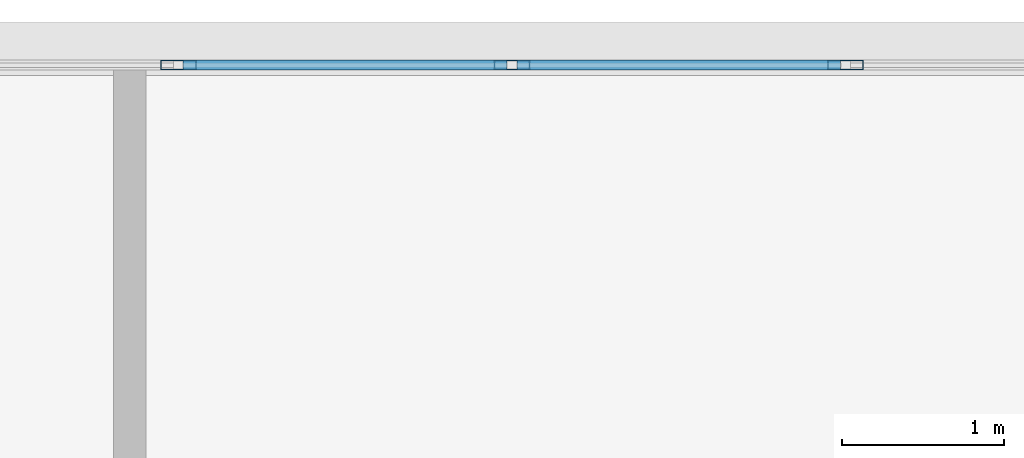
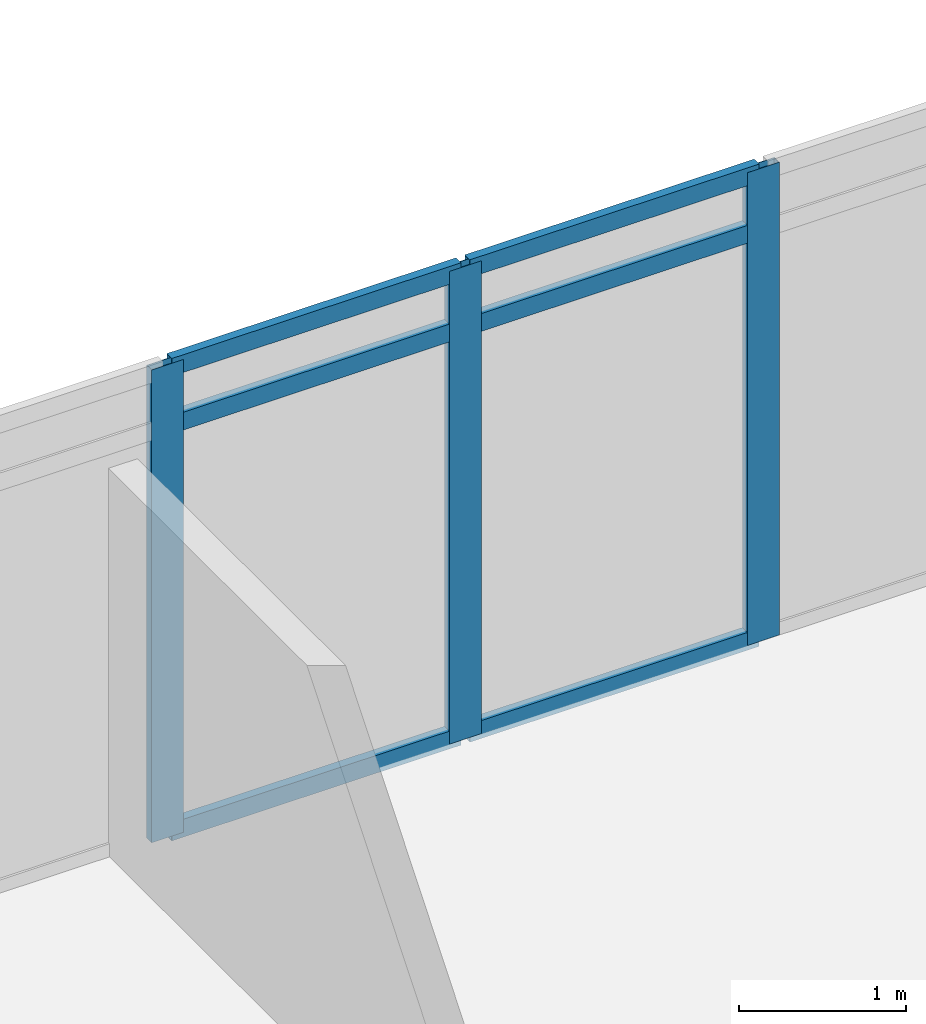
# One storey, part 20 of 37: 9 members, 1 element without a shape of its own.
"""IFC4 building model written with IfcOpenShell, lengths in metres."""

from ifc_helpers import new_model, si_unit, direction, frame, origin, origin_2d, place, context, subcontext, project, spatial, hollow_rectangle, extrude, material, material_profile, profile_set, type_object, element, aggregate, save


model = new_model("IFC4")

# Units and contexts
model_context = context("Model", 3, precision=1e-05, world=origin(), true_north=direction((0.0, 1.0)))
body_context = subcontext(model_context, "Body", "Model", "MODEL_VIEW")
ifc_project = project(units=[si_unit("LENGTHUNIT", "METRE"), si_unit("AREAUNIT", "SQUARE_METRE"), si_unit("VOLUMEUNIT", "CUBIC_METRE"), si_unit("PLANEANGLEUNIT", "RADIAN"), si_unit("MASSUNIT", "GRAM", prefix="KILO")], contexts=[model_context])

# Site, building, storey
site_placement = place(None, origin())
site = spatial("IfcSite", under=ifc_project, at=site_placement, CompositionType="ELEMENT")
building_placement = place(site_placement, origin())
building = spatial("IfcBuilding", under=site, at=building_placement, Name="Ostrander Bayou Hotel Tower", CompositionType="ELEMENT")
storey_placement = place(building_placement, frame((0.0, 0.0, 93.0)))
storey = spatial("IfcBuildingStorey", under=building, at=storey_placement, Name="L23", CompositionType="ELEMENT", Elevation=93.0)

# Curtain wall, members
ifc_material_1 = material(Name="Aluminium and clear glass", Category="aluminium")
curtain_wall_type = type_object("IfcCurtainWallType", Name="CW-BAR glazed wall", PredefinedType="NOTDEFINED", material=ifc_material_1)
curtain_wall_placement = place(storey_placement, origin())
curtain_wall = element("IfcCurtainWall", 1, at=curtain_wall_placement, inside=storey, type_object=curtain_wall_type, Name="CW-BAR L23:SB2N:T", PredefinedType="NOTDEFINED")
ifc_material_2 = material(Name="Aluminium", Category="aluminium")
ifc_material_profile_1 = material_profile(ifc_material_2, hollow_rectangle(XDim=0.06005859375, YDim=0.219970703125, WallThickness=0.00390625, at=origin_2d()))
ifc_profile_set_1 = profile_set([ifc_material_profile_1], Name="Aluminium")
member_type_1 = type_object("IfcMemberType", Name="CW-BR mullion 60 x 220 mm", PredefinedType="MULLION", material=ifc_profile_set_1)
member_1_placement = place(storey_placement, frame((-5.14111328125, 31.4453125, 0.0), z_axis=(0.0, 0.0, 1.0), x_axis=(0.0, 1.0, 0.0)))
member_1 = element("IfcMember", 2, at=member_1_placement, type_object=member_type_1, Name="CW-BAR mullion 5", PredefinedType="MULLION", context=body_context, shape_type="SweptSolid", body=[
    extrude(hollow_rectangle(XDim=0.06005859375, YDim=0.219970703125, WallThickness=0.00390625, at=origin_2d()), origin(), (0.0, 0.0, 1.0), 3.449951171875),
])
member_2_placement = place(storey_placement, frame((-3.084716796875, 31.4453125, 0.0), z_axis=(0.0, 0.0, 1.0), x_axis=(0.0, 1.0, 0.0)))
member_2 = element("IfcMember", 3, at=member_2_placement, type_object=member_type_1, Name="CW-BAR mullion 6", PredefinedType="MULLION", context=body_context, shape_type="SweptSolid", body=[
    extrude(hollow_rectangle(XDim=0.06005859375, YDim=0.219970703125, WallThickness=0.00390625, at=origin_2d()), origin(), (0.0, 0.0, 1.0), 3.449951171875),
])
member_3_placement = place(storey_placement, frame((-1.0283203125, 31.4453125, 0.0), z_axis=(0.0, 0.0, 1.0), x_axis=(0.0, 1.0, 0.0)))
member_3 = element("IfcMember", 4, at=member_3_placement, type_object=member_type_1, Name="CW-BAR mullion 7", PredefinedType="MULLION", context=body_context, shape_type="SweptSolid", body=[
    extrude(hollow_rectangle(XDim=0.06005859375, YDim=0.219970703125, WallThickness=0.00390625, at=origin_2d()), origin(), (0.0, 0.0, 1.0), 3.449951171875),
])
ifc_material_3 = material(Name="Aluminium", Category="aluminium")
ifc_material_profile_2 = material_profile(ifc_material_3, hollow_rectangle(XDim=0.06005859375, YDim=0.1298828125, WallThickness=0.00390625, at=origin_2d()))
ifc_profile_set_2 = profile_set([ifc_material_profile_2], Name="Aluminium")
member_type_2 = type_object("IfcMemberType", Name="CW-BR transom 60 x 130 mm", PredefinedType="USERDEFINED", material=ifc_profile_set_2)
member_4_placement = place(storey_placement, frame((-5.111328125, 31.4453125, 0.030029296875), z_axis=(1.0, 0.0, 0.0), x_axis=(0.0, 1.0, 0.0)))
member_4 = element("IfcMember", 5, at=member_4_placement, type_object=member_type_2, Name="CW-BAR transom 5.1", ObjectType="TRANSOM", PredefinedType="USERDEFINED", context=body_context, shape_type="SweptSolid", body=[
    extrude(hollow_rectangle(XDim=0.06005859375, YDim=0.1298828125, WallThickness=0.00390625, at=origin_2d()), origin(), (0.0, 0.0, 1.0), 1.99658203125),
])
member_5_placement = place(storey_placement, frame((-5.111328125, 31.4453125, 3.0), z_axis=(1.0, 0.0, 0.0), x_axis=(0.0, 1.0, 0.0)))
member_5 = element("IfcMember", 6, at=member_5_placement, type_object=member_type_2, Name="CW-BAR transom 5.2", ObjectType="TRANSOM", PredefinedType="USERDEFINED", context=body_context, shape_type="SweptSolid", body=[
    extrude(hollow_rectangle(XDim=0.06005859375, YDim=0.1298828125, WallThickness=0.00390625, at=origin_2d()), origin(), (0.0, 0.0, 1.0), 1.99658203125),
])
member_6_placement = place(storey_placement, frame((-5.111328125, 31.4453125, 3.419921875), z_axis=(1.0, 0.0, 0.0), x_axis=(0.0, 1.0, 0.0)))
member_6 = element("IfcMember", 7, at=member_6_placement, type_object=member_type_2, Name="CW-BAR transom 5.3", ObjectType="TRANSOM", PredefinedType="USERDEFINED", context=body_context, shape_type="SweptSolid", body=[
    extrude(hollow_rectangle(XDim=0.06005859375, YDim=0.1298828125, WallThickness=0.00390625, at=origin_2d()), origin(), (0.0, 0.0, 1.0), 1.99658203125),
])
member_7_placement = place(storey_placement, frame((-3.0546875, 31.4453125, 0.030029296875), z_axis=(1.0, 0.0, 0.0), x_axis=(0.0, 1.0, 0.0)))
member_7 = element("IfcMember", 8, at=member_7_placement, type_object=member_type_2, Name="CW-BAR transom 6.1", ObjectType="TRANSOM", PredefinedType="USERDEFINED", context=body_context, shape_type="SweptSolid", body=[
    extrude(hollow_rectangle(XDim=0.06005859375, YDim=0.1298828125, WallThickness=0.00390625, at=origin_2d()), origin(), (0.0, 0.0, 1.0), 1.996337890625),
])
member_8_placement = place(storey_placement, frame((-3.0546875, 31.4453125, 3.0), z_axis=(1.0, 0.0, 0.0), x_axis=(0.0, 1.0, 0.0)))
member_8 = element("IfcMember", 9, at=member_8_placement, type_object=member_type_2, Name="CW-BAR transom 6.2", ObjectType="TRANSOM", PredefinedType="USERDEFINED", context=body_context, shape_type="SweptSolid", body=[
    extrude(hollow_rectangle(XDim=0.06005859375, YDim=0.1298828125, WallThickness=0.00390625, at=origin_2d()), origin(), (0.0, 0.0, 1.0), 1.996337890625),
])
member_9_placement = place(storey_placement, frame((-3.0546875, 31.4453125, 3.419921875), z_axis=(1.0, 0.0, 0.0), x_axis=(0.0, 1.0, 0.0)))
member_9 = element("IfcMember", 10, at=member_9_placement, type_object=member_type_2, Name="CW-BAR transom 6.3", ObjectType="TRANSOM", PredefinedType="USERDEFINED", context=body_context, shape_type="SweptSolid", body=[
    extrude(hollow_rectangle(XDim=0.06005859375, YDim=0.1298828125, WallThickness=0.00390625, at=origin_2d()), origin(), (0.0, 0.0, 1.0), 1.996337890625),
])
aggregate(curtain_wall, [member_1, member_2, member_3, member_4, member_5, member_6, member_7, member_8, member_9])

save(model, "model.ifc")
